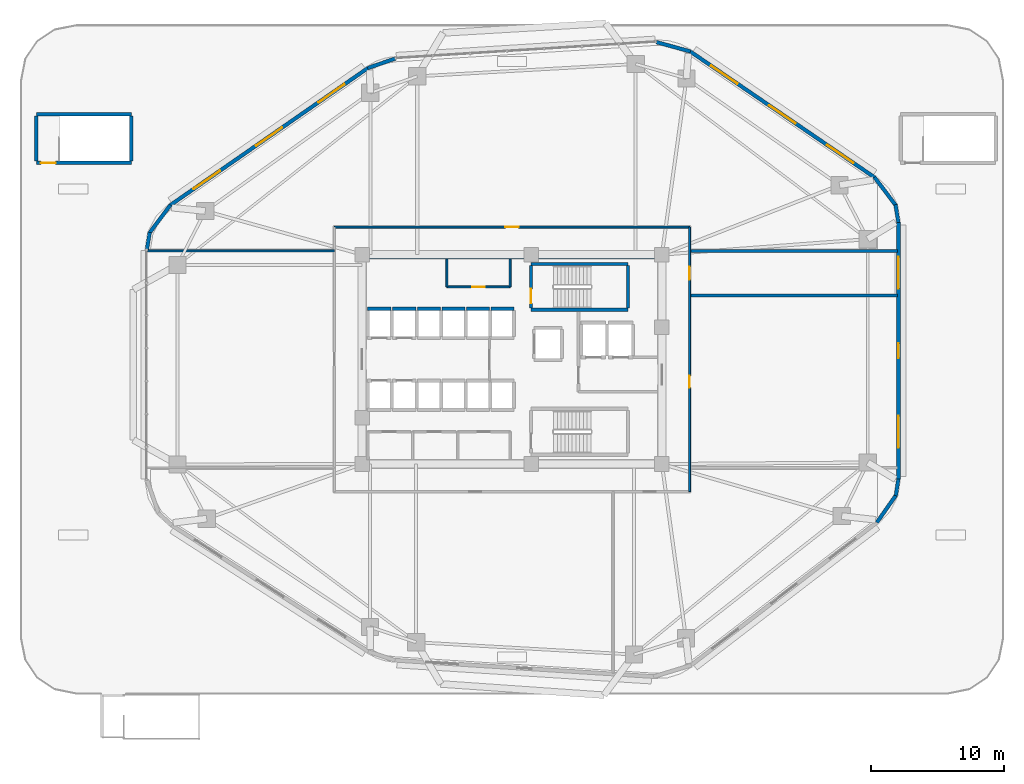
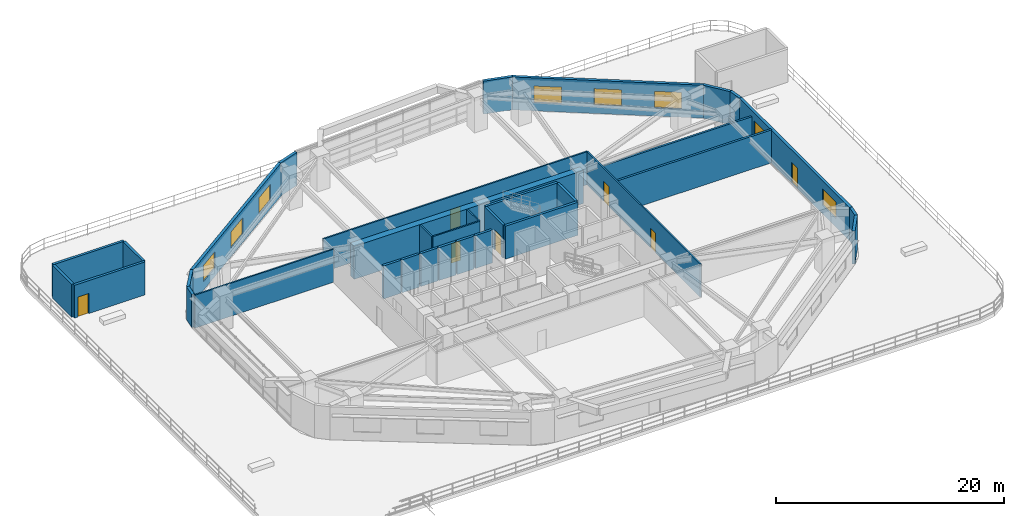
# One storey, part 16 of 20: 34 walls, 8 windows, 7 doors, 15 openings.
"""IFC4 building model written with IfcOpenShell, lengths in metres."""

from ifc_helpers import new_model, si_unit, direction, frame, frame_2d, origin, place, context, subcontext, project, spatial, rectangle, extrude, material, layer, layer_set, type_object, element, fill, save


model = new_model("IFC4")

# Units and contexts
model_context = context("Model", 3, precision=1e-05, world=origin(), true_north=direction((0.0, 1.0)))
body_context = subcontext(model_context, "Body", "Model", "MODEL_VIEW")
ifc_project = project(units=[si_unit("LENGTHUNIT", "METRE"), si_unit("AREAUNIT", "SQUARE_METRE"), si_unit("VOLUMEUNIT", "CUBIC_METRE"), si_unit("PLANEANGLEUNIT", "RADIAN"), si_unit("MASSUNIT", "GRAM", prefix="KILO")], contexts=[model_context])

# Site, building, storey
site_placement = place(None, origin())
site = spatial("IfcSite", under=ifc_project, at=site_placement, CompositionType="ELEMENT")
building_placement = place(site_placement, origin())
building = spatial("IfcBuilding", under=site, at=building_placement, Name="Zulverin Broadcast Headquarters", CompositionType="ELEMENT")
storey_placement = place(building_placement, frame((0.0, 0.0, 25.0)))
storey = spatial("IfcBuildingStorey", under=building, at=storey_placement, Name="L05", CompositionType="ELEMENT", Elevation=25.0)

# Walls
ifc_material_1 = material(Name="Acoustic drywall steel stud", Category="steel")
ifc_layer_1 = layer(ifc_material_1, 0.199951171875, Name="Acoustic drywall steel stud", Category="steel")
ifc_layer_set_1 = layer_set([ifc_layer_1], Name="Acoustic drywall steel stud")
wall_type_1 = type_object("IfcWallType", Name="WL-ACOU-200", PredefinedType="PARTITIONING", material=ifc_layer_set_1)
wall_1_placement = place(storey_placement, frame((50.35009765625, 33.35009765625, 0.0), z_axis=(0.0, 0.0, 1.0), x_axis=(1.0, 0.0, 0.0)))
element("IfcWall", 1, at=wall_1_placement, inside=storey, type_object=wall_type_1, Name="L05 Room Partition Wall RP-09", PredefinedType="PARTITIONING", context=body_context, shape_type="SweptSolid", body=[
    extrude(rectangle(XDim=15.64501953125, YDim=0.199951171875, at=frame_2d((7.822509765625, 0.0))), origin(), (0.0, 0.0, 1.0), 2.90771484375),
])
ifc_material_2 = material(Name="Double-stud acoustic drywall", Category="gypsum")
ifc_layer_2 = layer(ifc_material_2, 0.219970703125, Name="Double-stud acoustic drywall", Category="gypsum")
ifc_layer_set_2 = layer_set([ifc_layer_2], Name="Double-stud acoustic drywall")
wall_type_2 = type_object("IfcWallType", Name="WL-ACOU-220", PredefinedType="PARTITIONING", material=ifc_layer_set_2)
wall_2_placement = place(storey_placement, frame((50.35009765625, 30.0, 0.0), z_axis=(0.0, 0.0, 1.0), x_axis=(1.0, 0.0, 0.0)))
element("IfcWall", 2, at=wall_2_placement, inside=storey, type_object=wall_type_2, Name="L05 Room Partition Wall RP-07", PredefinedType="PARTITIONING", context=body_context, shape_type="SweptSolid", body=[
    extrude(rectangle(XDim=15.64501953125, YDim=0.219970703125, at=frame_2d((7.822509765625, 0.0))), origin(), (0.0, 0.0, 1.0), 3.52490234375),
])
ifc_material_3 = material(Name="Concrete C60/75", Category="concrete")
ifc_layer_3 = layer(ifc_material_3, 0.64990234375, Name="Concrete C60/75", Category="concrete")
ifc_layer_set_3 = layer_set([ifc_layer_3], Name="Concrete C60/75")
wall_type_3 = type_object("IfcWallType", Name="WL-CORE-650", PredefinedType="SHEAR", material=ifc_layer_set_3)
wall_3_placement = place(storey_placement, frame((25.39990234375, 33.074951171875, 0.0), z_axis=(0.0, 0.0, 1.0), x_axis=(1.0, 0.0, 0.0)))
element("IfcWall", 3, at=wall_3_placement, inside=storey, type_object=wall_type_3, Name="L05 Core North Shear Wall", PredefinedType="SHEAR", context=body_context, shape_type="SweptSolid", body=[
    extrude(rectangle(XDim=23.2001953125, YDim=0.64990234375, at=frame_2d((11.60009765625, 0.0))), origin(), (0.0, 0.0, 1.0), 3.52490234375),
])

# Wall, openings, door, windows
ifc_material_4 = material(Name="Insulated pale-metal clad concrete spandrel C40/50", Category="concrete")
ifc_layer_4 = layer(ifc_material_4, 0.280029296875, Name="Insulated pale-metal clad concrete spandrel C40/50", Category="concrete")
ifc_layer_set_4 = layer_set([ifc_layer_4], Name="Insulated pale-metal clad concrete spandrel C40/50")
wall_type_4 = type_object("IfcWallType", Name="WL-EXT-280", PredefinedType="STANDARD", material=ifc_layer_set_4)
wall_4_placement = place(storey_placement, frame((66.06005859375, 16.183349609375, 0.0), z_axis=(0.0, 0.0, 1.0), x_axis=(0.0, 1.0, 0.0)))
wall_4 = element("IfcWall", 4, at=wall_4_placement, inside=storey, type_object=wall_type_4, Name="L05 Pale-Metal Clad Spandrel Wall 3", PredefinedType="STANDARD", context=body_context, shape_type="SweptSolid", body=[
    extrude(rectangle(XDim=19.3310546875, YDim=0.280029296875, at=frame_2d((9.66552734375, 0.0))), origin(), (0.0, 0.0, 1.0), 3.52490234375),
])
opening_1_placement = place(wall_4_placement, frame((9.115478515625, 0.0, 0.0)))
opening_1 = element("IfcOpeningElement", 5, at=opening_1_placement, cuts=wall_4, Name="Opening D-L05-TR3", PredefinedType="OPENING", context=body_context, shape_type="SweptSolid", body=[
    extrude(rectangle(XDim=1.10009765625, YDim=2.199951171875, at=frame_2d((0.550048828125, 1.10009765625))), frame((0.0, 0.14990234375, 0.0), z_axis=(0.0, -1.0, 0.0), x_axis=(1.0, 0.0, 0.0)), (0.0, 0.0, 1.0), 0.300048828125),
])
opening_2_placement = place(wall_4_placement, frame((2.355224609375, 0.0, 0.89990234375)))
opening_2 = element("IfcOpeningElement", 6, at=opening_2_placement, cuts=wall_4, Name="Opening W-L05-E31", PredefinedType="OPENING", context=body_context, shape_type="SweptSolid", body=[
    extrude(rectangle(XDim=2.39990234375, YDim=1.75, at=frame_2d((1.199951171875, 0.875))), frame((0.0, 0.14990234375, 0.0), z_axis=(0.0, -1.0, 0.0), x_axis=(1.0, 0.0, 0.0)), (0.0, 0.0, 1.0), 0.300048828125),
])
opening_3_placement = place(wall_4_placement, frame((14.325927734375, 0.0, 0.89990234375)))
opening_3 = element("IfcOpeningElement", 7, at=opening_3_placement, cuts=wall_4, Name="Opening W-L05-E32", PredefinedType="OPENING", context=body_context, shape_type="SweptSolid", body=[
    extrude(rectangle(XDim=2.39990234375, YDim=1.75, at=frame_2d((1.199951171875, 0.875))), frame((0.0, 0.14990234375, 0.0), z_axis=(0.0, -1.0, 0.0), x_axis=(1.0, 0.0, 0.0)), (0.0, 0.0, 1.0), 0.300048828125),
])
ifc_material_5 = material(Name="Thermally broken aluminium glazed", Category="aluminium")
door_type_1 = type_object("IfcDoorType", Name="DR-TERR-1100", OperationType="SINGLE_SWING_RIGHT", PredefinedType="DOOR", material=ifc_material_5)
door_1_placement = place(opening_1_placement, origin())
door_1 = element("IfcDoor", 8, at=door_1_placement, inside=storey, type_object=door_type_1, Name="L05 Planted Terrace Glazed Access Door 3", OperationType="SINGLE_SWING_RIGHT", OverallHeight=2.199951171875, OverallWidth=1.10009765625, PredefinedType="DOOR", context=body_context, shape_type="SweptSolid", body=[
    extrude(rectangle(XDim=1.10009765625, YDim=2.199951171875, at=frame_2d((0.550048828125, 1.10009765625))), frame((0.0, 0.02490234375, 0.0), z_axis=(0.0, -1.0, 0.0), x_axis=(1.0, 0.0, 0.0)), (0.0, 0.0, 1.0), 0.050048828125),
])
fill(opening_1, door_1)
ifc_material_6 = material(Name="Pale anodized aluminium frame with solar-control low-E double glazing", Category="aluminium")
window_type = type_object("IfcWindowType", Name="WIN-RIB-2400", PartitioningType="SINGLE_PANEL", PredefinedType="WINDOW", material=ifc_material_6)
window_1_placement = place(opening_2_placement, origin())
window_1 = element("IfcWindow", 9, at=window_1_placement, inside=storey, type_object=window_type, Name="L05 Ribbon Glazing Window 3 1", OverallHeight=1.75, OverallWidth=2.39990234375, PartitioningType="SINGLE_PANEL", PredefinedType="WINDOW", context=body_context, shape_type="SweptSolid", body=[
    extrude(rectangle(XDim=2.39990234375, YDim=1.75, at=frame_2d((1.199951171875, 0.875))), frame((0.0, 0.030029296875, 0.0), z_axis=(0.0, -1.0, 0.0), x_axis=(1.0, 0.0, 0.0)), (0.0, 0.0, 1.0), 0.06005859375),
])
fill(opening_2, window_1)
window_2_placement = place(opening_3_placement, origin())
window_2 = element("IfcWindow", 10, at=window_2_placement, inside=storey, type_object=window_type, Name="L05 Ribbon Glazing Window 3 2", OverallHeight=1.75, OverallWidth=2.39990234375, PartitioningType="SINGLE_PANEL", PredefinedType="WINDOW", context=body_context, shape_type="SweptSolid", body=[
    extrude(rectangle(XDim=2.39990234375, YDim=1.75, at=frame_2d((1.199951171875, 0.875))), frame((0.0, 0.030029296875, 0.0), z_axis=(0.0, -1.0, 0.0), x_axis=(1.0, 0.0, 0.0)), (0.0, 0.0, 1.0), 0.06005859375),
])
fill(opening_3, window_2)

# Wall, openings, windows
wall_5_placement = place(storey_placement, frame((64.289794921875, 38.8671875, 0.0), z_axis=(0.0, 0.0, 1.0), x_axis=(-0.825755550159, 0.564028165416, 0.0)))
wall_5 = element("IfcWall", 11, at=wall_5_placement, inside=storey, type_object=wall_type_4, Name="L05 Pale-Metal Clad Spandrel Wall 4", PredefinedType="STANDARD", context=body_context, shape_type="SweptSolid", body=[
    extrude(rectangle(XDim=16.848388671875, YDim=0.280029296875, at=frame_2d((8.42431640625, 0.0))), origin(), (0.0, 0.0, 1.0), 3.52490234375),
])
opening_4_placement = place(wall_5_placement, frame((1.94140625, 0.0, 0.89990234375)))
opening_4 = element("IfcOpeningElement", 12, at=opening_4_placement, cuts=wall_5, Name="Opening W-L05-E41", PredefinedType="OPENING", context=body_context, shape_type="SweptSolid", body=[
    extrude(rectangle(XDim=2.39990234375, YDim=1.75, at=frame_2d((1.199951171875, 0.875))), frame((0.0, 0.14990234375, 0.0), z_axis=(0.0, -1.0, 0.0), x_axis=(1.0, 0.0, 0.0)), (0.0, 0.0, 1.0), 0.300048828125),
])
opening_5_placement = place(wall_5_placement, frame((7.22412109375, 0.0, 0.89990234375)))
opening_5 = element("IfcOpeningElement", 13, at=opening_5_placement, cuts=wall_5, Name="Opening W-L05-E42", PredefinedType="OPENING", context=body_context, shape_type="SweptSolid", body=[
    extrude(rectangle(XDim=2.39990234375, YDim=1.75, at=frame_2d((1.199951171875, 0.875))), frame((0.0, 0.14990234375, 0.0), z_axis=(0.0, -1.0, 0.0), x_axis=(1.0, 0.0, 0.0)), (0.0, 0.0, 1.0), 0.300048828125),
])
opening_6_placement = place(wall_5_placement, frame((12.5068359375, 0.0, 0.89990234375)))
opening_6 = element("IfcOpeningElement", 14, at=opening_6_placement, cuts=wall_5, Name="Opening W-L05-E43", PredefinedType="OPENING", context=body_context, shape_type="SweptSolid", body=[
    extrude(rectangle(XDim=2.39990234375, YDim=1.75, at=frame_2d((1.199951171875, 0.875))), frame((0.0, 0.14990234375, 0.0), z_axis=(0.0, -1.0, 0.0), x_axis=(1.0, 0.0, 0.0)), (0.0, 0.0, 1.0), 0.300048828125),
])
window_3_placement = place(opening_4_placement, origin())
window_3 = element("IfcWindow", 15, at=window_3_placement, inside=storey, type_object=window_type, Name="L05 Ribbon Glazing Window 4 1", OverallHeight=1.75, OverallWidth=2.39990234375, PartitioningType="SINGLE_PANEL", PredefinedType="WINDOW", context=body_context, shape_type="SweptSolid", body=[
    extrude(rectangle(XDim=2.39990234375, YDim=1.75, at=frame_2d((1.199951171875, 0.875))), frame((0.0, 0.030029296875, 0.0), z_axis=(0.0, -1.0, 0.0), x_axis=(1.0, 0.0, 0.0)), (0.0, 0.0, 1.0), 0.06005859375),
])
fill(opening_4, window_3)
window_4_placement = place(opening_5_placement, origin())
window_4 = element("IfcWindow", 16, at=window_4_placement, inside=storey, type_object=window_type, Name="L05 Ribbon Glazing Window 4 2", OverallHeight=1.75, OverallWidth=2.39990234375, PartitioningType="SINGLE_PANEL", PredefinedType="WINDOW", context=body_context, shape_type="SweptSolid", body=[
    extrude(rectangle(XDim=2.39990234375, YDim=1.75, at=frame_2d((1.199951171875, 0.875))), frame((0.0, 0.030029296875, 0.0), z_axis=(0.0, -1.0, 0.0), x_axis=(1.0, 0.0, 0.0)), (0.0, 0.0, 1.0), 0.06005859375),
])
fill(opening_5, window_4)
window_5_placement = place(opening_6_placement, origin())
window_5 = element("IfcWindow", 17, at=window_5_placement, inside=storey, type_object=window_type, Name="L05 Ribbon Glazing Window 4 3", OverallHeight=1.75, OverallWidth=2.39990234375, PartitioningType="SINGLE_PANEL", PredefinedType="WINDOW", context=body_context, shape_type="SweptSolid", body=[
    extrude(rectangle(XDim=2.39990234375, YDim=1.75, at=frame_2d((1.199951171875, 0.875))), frame((0.0, 0.030029296875, 0.0), z_axis=(0.0, -1.0, 0.0), x_axis=(1.0, 0.0, 0.0)), (0.0, 0.0, 1.0), 0.06005859375),
])
fill(opening_6, window_5)

wall_6_placement = place(storey_placement, frame((26.181884765625, 47.11767578125, 0.0), z_axis=(0.0, 0.0, 1.0), x_axis=(-0.821547956627, -0.570139417127, 0.0)))
wall_6 = element("IfcWall", 18, at=wall_6_placement, inside=storey, type_object=wall_type_4, Name="L05 Pale-Metal Clad Spandrel Wall 6", PredefinedType="STANDARD", context=body_context, shape_type="SweptSolid", body=[
    extrude(rectangle(XDim=18.13232421875, YDim=0.280029296875, at=frame_2d((9.066162109375, 0.0))), origin(), (0.0, 0.0, 1.0), 3.52490234375),
])
opening_7_placement = place(wall_6_placement, frame((2.155517578125, 0.0, 0.89990234375)))
opening_7 = element("IfcOpeningElement", 19, at=opening_7_placement, cuts=wall_6, Name="Opening W-L05-E61", PredefinedType="OPENING", context=body_context, shape_type="SweptSolid", body=[
    extrude(rectangle(XDim=2.39990234375, YDim=1.75, at=frame_2d((1.199951171875, 0.875))), frame((0.0, 0.14990234375, 0.0), z_axis=(0.0, -1.0, 0.0), x_axis=(1.0, 0.0, 0.0)), (0.0, 0.0, 1.0), 0.300048828125),
])
opening_8_placement = place(wall_6_placement, frame((7.8662109375, 0.0, 0.89990234375)))
opening_8 = element("IfcOpeningElement", 20, at=opening_8_placement, cuts=wall_6, Name="Opening W-L05-E62", PredefinedType="OPENING", context=body_context, shape_type="SweptSolid", body=[
    extrude(rectangle(XDim=2.39990234375, YDim=1.75, at=frame_2d((1.199951171875, 0.875))), frame((0.0, 0.14990234375, 0.0), z_axis=(0.0, -1.0, 0.0), x_axis=(1.0, 0.0, 0.0)), (0.0, 0.0, 1.0), 0.300048828125),
])
opening_9_placement = place(wall_6_placement, frame((13.576904296875, 0.0, 0.89990234375)))
opening_9 = element("IfcOpeningElement", 21, at=opening_9_placement, cuts=wall_6, Name="Opening W-L05-E63", PredefinedType="OPENING", context=body_context, shape_type="SweptSolid", body=[
    extrude(rectangle(XDim=2.39990234375, YDim=1.75, at=frame_2d((1.199951171875, 0.875))), frame((0.0, 0.14990234375, 0.0), z_axis=(0.0, -1.0, 0.0), x_axis=(1.0, 0.0, 0.0)), (0.0, 0.0, 1.0), 0.300048828125),
])
window_6_placement = place(opening_7_placement, origin())
window_6 = element("IfcWindow", 22, at=window_6_placement, inside=storey, type_object=window_type, Name="L05 Ribbon Glazing Window 6 1", OverallHeight=1.75, OverallWidth=2.39990234375, PartitioningType="SINGLE_PANEL", PredefinedType="WINDOW", context=body_context, shape_type="SweptSolid", body=[
    extrude(rectangle(XDim=2.39990234375, YDim=1.75, at=frame_2d((1.199951171875, 0.875))), frame((0.0, 0.030029296875, 0.0), z_axis=(0.0, -1.0, 0.0), x_axis=(1.0, 0.0, 0.0)), (0.0, 0.0, 1.0), 0.06005859375),
])
fill(opening_7, window_6)
window_7_placement = place(opening_8_placement, origin())
window_7 = element("IfcWindow", 23, at=window_7_placement, inside=storey, type_object=window_type, Name="L05 Ribbon Glazing Window 6 2", OverallHeight=1.75, OverallWidth=2.39990234375, PartitioningType="SINGLE_PANEL", PredefinedType="WINDOW", context=body_context, shape_type="SweptSolid", body=[
    extrude(rectangle(XDim=2.39990234375, YDim=1.75, at=frame_2d((1.199951171875, 0.875))), frame((0.0, 0.030029296875, 0.0), z_axis=(0.0, -1.0, 0.0), x_axis=(1.0, 0.0, 0.0)), (0.0, 0.0, 1.0), 0.06005859375),
])
fill(opening_8, window_7)
window_8_placement = place(opening_9_placement, origin())
window_8 = element("IfcWindow", 24, at=window_8_placement, inside=storey, type_object=window_type, Name="L05 Ribbon Glazing Window 6 3", OverallHeight=1.75, OverallWidth=2.39990234375, PartitioningType="SINGLE_PANEL", PredefinedType="WINDOW", context=body_context, shape_type="SweptSolid", body=[
    extrude(rectangle(XDim=2.39990234375, YDim=1.75, at=frame_2d((1.199951171875, 0.875))), frame((0.0, 0.030029296875, 0.0), z_axis=(0.0, -1.0, 0.0), x_axis=(1.0, 0.0, 0.0)), (0.0, 0.0, 1.0), 0.06005859375),
])
fill(opening_9, window_8)

# Walls
wall_7_placement = place(storey_placement, frame((64.4443359375, 12.933349609375, 0.0), z_axis=(0.0, 0.0, 1.0), x_axis=(0.573176686443, 0.819431806875, 0.0)))
element("IfcWall", 25, at=wall_7_placement, inside=storey, type_object=wall_type_4, Name="L05 Wind-Shaped Corner Spandrel Wall 2-1", PredefinedType="STANDARD", context=body_context, shape_type="SweptSolid", body=[
    extrude(rectangle(XDim=2.524169921875, YDim=0.280029296875, at=frame_2d((1.26220703125, 0.0))), origin(), (0.0, 0.0, 1.0), 3.52490234375),
])
wall_8_placement = place(storey_placement, frame((65.867431640625, 14.942626953125, 0.0), z_axis=(0.0, 0.0, 1.0), x_axis=(0.152014078361, 0.988378328364, 0.0)))
element("IfcWall", 26, at=wall_8_placement, inside=storey, type_object=wall_type_4, Name="L05 Wind-Shaped Corner Spandrel Wall 2-2", PredefinedType="STANDARD", context=body_context, shape_type="SweptSolid", body=[
    extrude(rectangle(XDim=1.27685546875, YDim=0.280029296875, at=frame_2d((0.638427734375, 0.0))), origin(), (0.0, 0.0, 1.0), 3.52490234375),
])
wall_9_placement = place(storey_placement, frame((66.061767578125, 35.491943359375, 0.0), z_axis=(0.0, 0.0, 1.0), x_axis=(-0.161182073582, 0.986924687682, 0.0)))
element("IfcWall", 27, at=wall_9_placement, inside=storey, type_object=wall_type_4, Name="L05 Wind-Shaped Corner Spandrel Wall 3-1", PredefinedType="STANDARD", context=body_context, shape_type="SweptSolid", body=[
    extrude(rectangle(XDim=1.354248046875, YDim=0.280029296875, at=frame_2d((0.67724609375, 0.0))), origin(), (0.0, 0.0, 1.0), 3.52490234375),
])
wall_10_placement = place(storey_placement, frame((65.8701171875, 36.7666015625, 0.0), z_axis=(0.0, 0.0, 1.0), x_axis=(-0.603370463754, 0.797461023166, 0.0)))
element("IfcWall", 28, at=wall_10_placement, inside=storey, type_object=wall_type_4, Name="L05 Wind-Shaped Corner Spandrel Wall 3-2", PredefinedType="STANDARD", context=body_context, shape_type="SweptSolid", body=[
    extrude(rectangle(XDim=2.6728515625, YDim=0.280029296875, at=frame_2d((1.33642578125, 0.0))), origin(), (0.0, 0.0, 1.0), 3.52490234375),
])
wall_11_placement = place(storey_placement, frame((50.419189453125, 48.3505859375, 0.0), z_axis=(0.0, 0.0, 1.0), x_axis=(-0.964263320055, 0.264945748402, 0.0)))
element("IfcWall", 29, at=wall_11_placement, inside=storey, type_object=wall_type_4, Name="L05 Wind-Shaped Corner Spandrel Wall 4-1", PredefinedType="STANDARD", context=body_context, shape_type="SweptSolid", body=[
    extrude(rectangle(XDim=2.665771484375, YDim=0.280029296875, at=frame_2d((1.3330078125, 0.0))), origin(), (0.0, 0.0, 1.0), 3.52490234375),
])
wall_12_placement = place(storey_placement, frame((28.217041015625, 47.820068359375, 0.0), z_axis=(0.0, 0.0, 1.0), x_axis=(-0.944478751803, -0.328572499447, 0.0)))
element("IfcWall", 30, at=wall_12_placement, inside=storey, type_object=wall_type_4, Name="L05 Wind-Shaped Corner Spandrel Wall 5-1", PredefinedType="STANDARD", context=body_context, shape_type="SweptSolid", body=[
    extrude(rectangle(XDim=2.1904296875, YDim=0.280029296875, at=frame_2d((1.09521484375, 0.0))), origin(), (0.0, 0.0, 1.0), 3.52490234375),
])
wall_13_placement = place(storey_placement, frame((11.317626953125, 36.81103515625, 0.0), z_axis=(0.0, 0.0, 1.0), x_axis=(-0.599455152629, -0.800408345775, 0.0)))
element("IfcWall", 31, at=wall_13_placement, inside=storey, type_object=wall_type_4, Name="L05 Wind-Shaped Corner Spandrel Wall 6-1", PredefinedType="STANDARD", context=body_context, shape_type="SweptSolid", body=[
    extrude(rectangle(XDim=2.6533203125, YDim=0.280029296875, at=frame_2d((1.32666015625, 0.0))), origin(), (0.0, 0.0, 1.0), 3.52490234375),
])
wall_14_placement = place(storey_placement, frame((9.753173828125, 34.748779296875, 0.0), z_axis=(0.0, 0.0, 1.0), x_axis=(-0.159940475951, -0.987126660643, 0.0)))
element("IfcWall", 32, at=wall_14_placement, inside=storey, type_object=wall_type_4, Name="L05 Wind-Shaped Corner Spandrel Wall 6-2", PredefinedType="STANDARD", context=body_context, shape_type="SweptSolid", body=[
    extrude(rectangle(XDim=1.279052734375, YDim=0.280029296875, at=frame_2d((0.6396484375, 0.0))), origin(), (0.0, 0.0, 1.0), 3.52490234375),
])

# Wall, opening, door
ifc_material_7 = material(Name="Fire-rated gypsum stud partition", Category="gypsum")
ifc_layer_5 = layer(ifc_material_7, 0.14990234375, Name="Fire-rated gypsum stud partition", Category="gypsum")
ifc_layer_set_5 = layer_set([ifc_layer_5], Name="Fire-rated gypsum stud partition")
wall_type_5 = type_object("IfcWallType", Name="WL-PART-150", PredefinedType="PARTITIONING", material=ifc_layer_set_5)
wall_15_placement = place(storey_placement, frame((32.10009765625, 30.64990234375, 0.0), z_axis=(0.0, 0.0, 1.0), x_axis=(1.0, 0.0, 0.0)))
wall_15 = element("IfcWall", 33, at=wall_15_placement, inside=storey, type_object=wall_type_5, Name="L05 Core Accessible WC & Electrical Riser Front Wall", PredefinedType="PARTITIONING", context=body_context, shape_type="SweptSolid", body=[
    extrude(rectangle(XDim=4.75, YDim=0.14990234375, at=frame_2d((2.375, 0.0))), origin(), (0.0, 0.0, 1.0), 3.52490234375),
])
opening_10_placement = place(wall_15_placement, frame((1.89990234375, 0.0, 0.0)))
opening_10 = element("IfcOpeningElement", 34, at=opening_10_placement, cuts=wall_15, Name="Opening D-L05-NC1", PredefinedType="OPENING", context=body_context, shape_type="SweptSolid", body=[
    extrude(rectangle(XDim=0.949951171875, YDim=2.10009765625, at=frame_2d((0.47509765625, 1.050048828125))), frame((0.0, 0.0849609375, 0.0), z_axis=(0.0, -1.0, 0.0), x_axis=(1.0, 0.0, 0.0)), (0.0, 0.0, 1.0), 0.169921875),
])
ifc_material_8 = material(Name="Fire-rated moisture-resistant laminate leaf", Category="wood")
door_type_2 = type_object("IfcDoorType", Name="DR-WC-950", OperationType="SINGLE_SWING_LEFT", PredefinedType="DOOR", material=ifc_material_8)
door_2_placement = place(opening_10_placement, origin())
door_2 = element("IfcDoor", 35, at=door_2_placement, inside=storey, type_object=door_type_2, Name="L05 Accessible WC & Electrical Riser Door", OperationType="SINGLE_SWING_LEFT", OverallHeight=2.10009765625, OverallWidth=0.949951171875, PredefinedType="DOOR", context=body_context, shape_type="SweptSolid", body=[
    extrude(rectangle(XDim=0.949951171875, YDim=2.10009765625, at=frame_2d((0.47509765625, 1.050048828125))), frame((0.0, 0.02490234375, 0.0), z_axis=(0.0, -1.0, 0.0), x_axis=(1.0, 0.0, 0.0)), (0.0, 0.0, 1.0), 0.050048828125),
])
fill(opening_10, door_2)

# Walls
for number, where, z_axis, x_axis, name in (
    (36, (32.10009765625, 30.64990234375, 0.0), (0.0, 0.0, 1.0), (0.0, 1.0, 0.0), "L05 Core Accessible WC & Electrical Riser West Wall"),
    (37, (36.85009765625, 30.64990234375, 0.0), (0.0, 0.0, 1.0), (0.0, 1.0, 0.0), "L05 Core Accessible WC & Electrical Riser East Wall"),
):
    element("IfcWall", number, at=place(storey_placement, frame(where, z_axis=z_axis, x_axis=x_axis)), inside=storey, type_object=wall_type_5, Name=name, PredefinedType="PARTITIONING", context=body_context, shape_type="SweptSolid", body=[
        extrude(rectangle(XDim=2.10009765625, YDim=0.14990234375, at=frame_2d((1.050048828125, 0.0))), origin(), (0.0, 0.0, 1.0), 3.52490234375),
    ])

# Wall, openings, doors
wall_16_placement = place(storey_placement, frame((50.35009765625, 15.25, 0.0), z_axis=(0.0, 0.0, 1.0), x_axis=(0.0, 1.0, 0.0)))
wall_16 = element("IfcWall", 38, at=wall_16_placement, inside=storey, type_object=wall_type_5, Name="L05 Gallery Partition Wall CG-01", PredefinedType="PARTITIONING", context=body_context, shape_type="SweptSolid", body=[
    extrude(rectangle(XDim=19.89990234375, YDim=0.14990234375, at=frame_2d((9.949951171875, 0.0))), origin(), (0.0, 0.0, 1.0), 3.52490234375),
])
opening_11_placement = place(wall_16_placement, frame((7.824951171875, 0.0, 0.0)))
opening_11 = element("IfcOpeningElement", 39, at=opening_11_placement, cuts=wall_16, Name="Opening D-L05-05", PredefinedType="OPENING", context=body_context, shape_type="SweptSolid", body=[
    extrude(rectangle(XDim=0.89990234375, YDim=2.10009765625, at=frame_2d((0.449951171875, 1.050048828125))), frame((0.0, 0.0849609375, 0.0), z_axis=(0.0, -1.0, 0.0), x_axis=(1.0, 0.0, 0.0)), (0.0, 0.0, 1.0), 0.169921875),
])
opening_12_placement = place(wall_16_placement, frame((15.925048828125, 0.0, 0.0)))
opening_12 = element("IfcOpeningElement", 40, at=opening_12_placement, cuts=wall_16, Name="Opening D-L05-06", PredefinedType="OPENING", context=body_context, shape_type="SweptSolid", body=[
    extrude(rectangle(XDim=1.0, YDim=2.1201171875, at=frame_2d((0.5, 1.06005859375))), frame((0.0, 0.0849609375, 0.0), z_axis=(0.0, -1.0, 0.0), x_axis=(1.0, 0.0, 0.0)), (0.0, 0.0, 1.0), 0.169921875),
])
ifc_material_9 = material(Name="Hardwood veneer acoustic leaf", Category="wood")
door_type_3 = type_object("IfcDoorType", Name="DR-OFF-1000", OperationType="SINGLE_SWING_LEFT", PredefinedType="DOOR", material=ifc_material_9)
door_3_placement = place(opening_12_placement, origin())
door_3 = element("IfcDoor", 41, at=door_3_placement, inside=storey, type_object=door_type_3, Name="L05 Broadcast Production Office Door", OperationType="SINGLE_SWING_LEFT", OverallHeight=2.1201171875, OverallWidth=1.0, PredefinedType="DOOR", context=body_context, shape_type="SweptSolid", body=[
    extrude(rectangle(XDim=1.0, YDim=2.1201171875, at=frame_2d((0.5, 1.06005859375))), frame((0.0, 0.02490234375, 0.0), z_axis=(0.0, -1.0, 0.0), x_axis=(1.0, 0.0, 0.0)), (0.0, 0.0, 1.0), 0.050048828125),
])
fill(opening_12, door_3)
ifc_material_10 = material(Name="Fire-rated hardwood veneer timber leaf", Category="wood")
door_type_4 = type_object("IfcDoorType", Name="DR-ROOM-900", OperationType="SINGLE_SWING_RIGHT", PredefinedType="DOOR", material=ifc_material_10)
door_4_placement = place(opening_11_placement, origin())
door_4 = element("IfcDoor", 42, at=door_4_placement, inside=storey, type_object=door_type_4, Name="L05 Floor Reception Foyer Door", OperationType="SINGLE_SWING_RIGHT", OverallHeight=2.10009765625, OverallWidth=0.89990234375, PredefinedType="DOOR", context=body_context, shape_type="SweptSolid", body=[
    extrude(rectangle(XDim=0.89990234375, YDim=2.10009765625, at=frame_2d((0.449951171875, 1.050048828125))), frame((0.0, 0.02490234375, 0.0), z_axis=(0.0, -1.0, 0.0), x_axis=(1.0, 0.0, 0.0)), (0.0, 0.0, 1.0), 0.050048828125),
])
fill(opening_11, door_4)

# Wall
wall_17_placement = place(storey_placement, frame((9.60498046875, 33.35009765625, 0.0), z_axis=(0.0, 0.0, 1.0), x_axis=(1.0, 0.0, 0.0)))
element("IfcWall", 43, at=wall_17_placement, inside=storey, type_object=wall_type_5, Name="L05 Room Partition Wall RP-08", PredefinedType="PARTITIONING", context=body_context, shape_type="SweptSolid", body=[
    extrude(rectangle(XDim=14.044921875, YDim=0.14990234375, at=frame_2d((7.0224609375, 0.0))), origin(), (0.0, 0.0, 1.0), 3.52490234375),
])

# Wall, opening, door
wall_18_placement = place(storey_placement, frame((23.64990234375, 35.14990234375, 0.0), z_axis=(0.0, 0.0, 1.0), x_axis=(1.0, 0.0, 0.0)))
wall_18 = element("IfcWall", 44, at=wall_18_placement, inside=storey, type_object=wall_type_5, Name="L05 Gallery Partition Wall CG-10", PredefinedType="PARTITIONING", context=body_context, shape_type="SweptSolid", body=[
    extrude(rectangle(XDim=26.7001953125, YDim=0.14990234375, at=frame_2d((13.35009765625, 0.0))), origin(), (0.0, 0.0, 1.0), 3.52490234375),
])
opening_13_placement = place(wall_18_placement, frame((12.85009765625, 0.0, 0.0)))
opening_13 = element("IfcOpeningElement", 45, at=opening_13_placement, cuts=wall_18, Name="Opening D-L05-01", PredefinedType="OPENING", context=body_context, shape_type="SweptSolid", body=[
    extrude(rectangle(XDim=1.0, YDim=2.1201171875, at=frame_2d((0.5, 1.06005859375))), frame((0.0, 0.0849609375, 0.0), z_axis=(0.0, -1.0, 0.0), x_axis=(1.0, 0.0, 0.0)), (0.0, 0.0, 1.0), 0.169921875),
])
door_5_placement = place(opening_13_placement, origin())
door_5 = element("IfcDoor", 46, at=door_5_placement, inside=storey, type_object=door_type_3, Name="L05 Broadcast Production Office Door", OperationType="SINGLE_SWING_RIGHT", OverallHeight=2.1201171875, OverallWidth=1.0, PredefinedType="DOOR", context=body_context, shape_type="SweptSolid", body=[
    extrude(rectangle(XDim=1.0, YDim=2.1201171875, at=frame_2d((0.5, 1.06005859375))), frame((0.0, 0.02490234375, 0.0), z_axis=(0.0, -1.0, 0.0), x_axis=(1.0, 0.0, 0.0)), (0.0, 0.0, 1.0), 0.050048828125),
])
fill(opening_13, door_5)

# Walls
ifc_material_11 = material(Name="Concrete C50/60", Category="concrete")
ifc_layer_6 = layer(ifc_material_11, 0.25, Name="Concrete C50/60", Category="concrete")
ifc_layer_set_6 = layer_set([ifc_layer_6], Name="Concrete C50/60")
wall_type_6 = type_object("IfcWallType", Name="WL-SHAFT-250", PredefinedType="SHEAR", material=ifc_layer_set_6)
for number, where, z_axis, x_axis, name in (
    (47, (38.425048828125, 28.925048828125, 0.0), (0.0, 0.0, 1.0), (1.0, 0.0, 0.0), "L05 ST-1 Enclosure Wall S"),
    (48, (38.425048828125, 32.375, 0.0), (0.0, 0.0, 1.0), (1.0, 0.0, 0.0), "L05 ST-1 Enclosure Wall N"),
):
    element("IfcWall", number, at=place(storey_placement, frame(where, z_axis=z_axis, x_axis=x_axis)), inside=storey, type_object=wall_type_6, Name=name, PredefinedType="SHEAR", context=body_context, shape_type="SweptSolid", body=[
        extrude(rectangle(XDim=7.300048828125, YDim=0.25, at=frame_2d((3.64990234375, 0.0))), origin(), (0.0, 0.0, 1.0), 3.52490234375),
    ])

# Wall, opening, door
wall_19_placement = place(storey_placement, frame((38.425048828125, 29.050048828125, 0.0), z_axis=(0.0, 0.0, 1.0), x_axis=(0.0, 1.0, 0.0)))
wall_19 = element("IfcWall", 49, at=wall_19_placement, inside=storey, type_object=wall_type_6, Name="L05 ST-1 Enclosure Wall W", PredefinedType="SHEAR", context=body_context, shape_type="SweptSolid", body=[
    extrude(rectangle(XDim=3.199951171875, YDim=0.25, at=frame_2d((1.60009765625, 0.0))), origin(), (0.0, 0.0, 1.0), 3.52490234375),
])
opening_14_placement = place(wall_19_placement, frame((0.35009765625, 0.0, 0.0)))
opening_14 = element("IfcOpeningElement", 50, at=opening_14_placement, cuts=wall_19, Name="Opening D-L05-ST-1", PredefinedType="OPENING", context=body_context, shape_type="SweptSolid", body=[
    extrude(rectangle(XDim=1.10009765625, YDim=2.14990234375, at=frame_2d((0.550048828125, 1.074951171875))), frame((0.0, 0.135009765625, 0.0), z_axis=(0.0, -1.0, 0.0), x_axis=(1.0, 0.0, 0.0)), (0.0, 0.0, 1.0), 0.27001953125),
])
ifc_material_12 = material(Name="Fire-rated steel leaf and frame", Category="steel")
door_type_5 = type_object("IfcDoorType", Name="DR-STAIR-1100", OperationType="SINGLE_SWING_LEFT", PredefinedType="DOOR", material=ifc_material_12)
door_6_placement = place(opening_14_placement, origin())
door_6 = element("IfcDoor", 51, at=door_6_placement, inside=storey, type_object=door_type_5, Name="L05 Exit Stair ST-1 Fire Door", OperationType="SINGLE_SWING_LEFT", OverallHeight=2.14990234375, OverallWidth=1.10009765625, PredefinedType="DOOR", context=body_context, shape_type="SweptSolid", body=[
    extrude(rectangle(XDim=1.10009765625, YDim=2.14990234375, at=frame_2d((0.550048828125, 1.074951171875))), frame((0.0, 0.02490234375, 0.0), z_axis=(0.0, -1.0, 0.0), x_axis=(1.0, 0.0, 0.0)), (0.0, 0.0, 1.0), 0.050048828125),
])
fill(opening_14, door_6)

# Wall
wall_20_placement = place(storey_placement, frame((45.72509765625, 29.050048828125, 0.0), z_axis=(0.0, 0.0, 1.0), x_axis=(0.0, 1.0, 0.0)))
element("IfcWall", 52, at=wall_20_placement, inside=storey, type_object=wall_type_6, Name="L05 ST-1 Enclosure Wall E", PredefinedType="SHEAR", context=body_context, shape_type="SweptSolid", body=[
    extrude(rectangle(XDim=3.199951171875, YDim=0.25, at=frame_2d((1.60009765625, 0.0))), origin(), (0.0, 0.0, 1.0), 3.52490234375),
])

# Wall, opening, door
wall_21_placement = place(storey_placement, frame((1.22509765625, 39.97509765625, 0.0), z_axis=(0.0, 0.0, 1.0), x_axis=(1.0, 0.0, 0.0)))
wall_21 = element("IfcWall", 53, at=wall_21_placement, inside=storey, type_object=wall_type_6, Name="L05 ST-3 Enclosure Wall S", PredefinedType="SHEAR", context=body_context, shape_type="SweptSolid", body=[
    extrude(rectangle(XDim=7.14990234375, YDim=0.25, at=frame_2d((3.574951171875, 0.0))), origin(), (0.0, 0.0, 1.0), 3.52490234375),
])
opening_15_placement = place(wall_21_placement, frame((0.35009765625, 0.0, 0.0)))
opening_15 = element("IfcOpeningElement", 54, at=opening_15_placement, cuts=wall_21, Name="Opening D-L05-ST-3", PredefinedType="OPENING", context=body_context, shape_type="SweptSolid", body=[
    extrude(rectangle(XDim=1.10009765625, YDim=2.14990234375, at=frame_2d((0.550048828125, 1.074951171875))), frame((0.0, 0.135009765625, 0.0), z_axis=(0.0, -1.0, 0.0), x_axis=(1.0, 0.0, 0.0)), (0.0, 0.0, 1.0), 0.27001953125),
])
door_7_placement = place(opening_15_placement, origin())
door_7 = element("IfcDoor", 55, at=door_7_placement, inside=storey, type_object=door_type_5, Name="L05 Exit Stair ST-3 Fire Door", OperationType="SINGLE_SWING_LEFT", OverallHeight=2.14990234375, OverallWidth=1.10009765625, PredefinedType="DOOR", context=body_context, shape_type="SweptSolid", body=[
    extrude(rectangle(XDim=1.10009765625, YDim=2.14990234375, at=frame_2d((0.550048828125, 1.074951171875))), frame((0.0, 0.02490234375, 0.0), z_axis=(0.0, -1.0, 0.0), x_axis=(1.0, 0.0, 0.0)), (0.0, 0.0, 1.0), 0.050048828125),
])
fill(opening_15, door_7)

# Walls
wall_22_placement = place(storey_placement, frame((1.22509765625, 43.625, 0.0), z_axis=(0.0, 0.0, 1.0), x_axis=(1.0, 0.0, 0.0)))
element("IfcWall", 56, at=wall_22_placement, inside=storey, type_object=wall_type_6, Name="L05 ST-3 Enclosure Wall N", PredefinedType="SHEAR", context=body_context, shape_type="SweptSolid", body=[
    extrude(rectangle(XDim=7.14990234375, YDim=0.25, at=frame_2d((3.574951171875, 0.0))), origin(), (0.0, 0.0, 1.0), 3.52490234375),
])
for number, where, z_axis, x_axis, name in (
    (57, (1.22509765625, 40.10009765625, 0.0), (0.0, 0.0, 1.0), (0.0, 1.0, 0.0), "L05 ST-3 Enclosure Wall W"),
    (58, (8.375, 40.10009765625, 0.0), (0.0, 0.0, 1.0), (0.0, 1.0, 0.0), "L05 ST-3 Enclosure Wall E"),
):
    element("IfcWall", number, at=place(storey_placement, frame(where, z_axis=z_axis, x_axis=x_axis)), inside=storey, type_object=wall_type_6, Name=name, PredefinedType="SHEAR", context=body_context, shape_type="SweptSolid", body=[
        extrude(rectangle(XDim=3.39990234375, YDim=0.25, at=frame_2d((1.699951171875, 0.0))), origin(), (0.0, 0.0, 1.0), 3.52490234375),
    ])
for number, where, z_axis, x_axis, name in (
    (59, (26.14990234375, 29.0, 0.0), (0.0, 0.0, 1.0), (1.0, 0.0, 0.0), "L05 Lift PL-L1 Shaft Wall N"),
    (60, (28.02001953125, 29.0, 0.0), (0.0, 0.0, 1.0), (1.0, 0.0, 0.0), "L05 Lift PL-L2 Shaft Wall N"),
):
    element("IfcWall", number, at=place(storey_placement, frame(where, z_axis=z_axis, x_axis=x_axis)), inside=storey, type_object=wall_type_6, Name=name, PredefinedType="SHEAR", context=body_context, shape_type="SweptSolid", body=[
        extrude(rectangle(XDim=1.75, YDim=0.25, at=frame_2d((0.875, 0.0))), origin(), (0.0, 0.0, 1.0), 3.52490234375),
    ])
wall_23_placement = place(storey_placement, frame((29.89990234375, 29.0, 0.0), z_axis=(0.0, 0.0, 1.0), x_axis=(1.0, 0.0, 0.0)))
element("IfcWall", 61, at=wall_23_placement, inside=storey, type_object=wall_type_6, Name="L05 Lift PL-H1 Shaft Wall N", PredefinedType="SHEAR", context=body_context, shape_type="SweptSolid", body=[
    extrude(rectangle(XDim=1.72021484375, YDim=0.25, at=frame_2d((0.860107421875, 0.0))), origin(), (0.0, 0.0, 1.0), 3.52490234375),
])
for number, where, z_axis, x_axis, name in (
    (62, (31.739990234375, 29.0, 0.0), (0.0, 0.0, 1.0), (1.0, 0.0, 0.0), "L05 Lift PL-H2 Shaft Wall N"),
    (63, (33.580078125, 29.0, 0.0), (0.0, 0.0, 1.0), (1.0, 0.0, 0.0), "L05 Lift PL-H3 Shaft Wall N"),
    (64, (35.419921875, 29.0, 0.0), (0.0, 0.0, 1.0), (1.0, 0.0, 0.0), "L05 Lift PL-H4 Shaft Wall N"),
):
    element("IfcWall", number, at=place(storey_placement, frame(where, z_axis=z_axis, x_axis=x_axis)), inside=storey, type_object=wall_type_6, Name=name, PredefinedType="SHEAR", context=body_context, shape_type="SweptSolid", body=[
        extrude(rectangle(XDim=1.719970703125, YDim=0.25, at=frame_2d((0.85986328125, 0.0))), origin(), (0.0, 0.0, 1.0), 3.52490234375),
    ])

save(model, "model.ifc")
